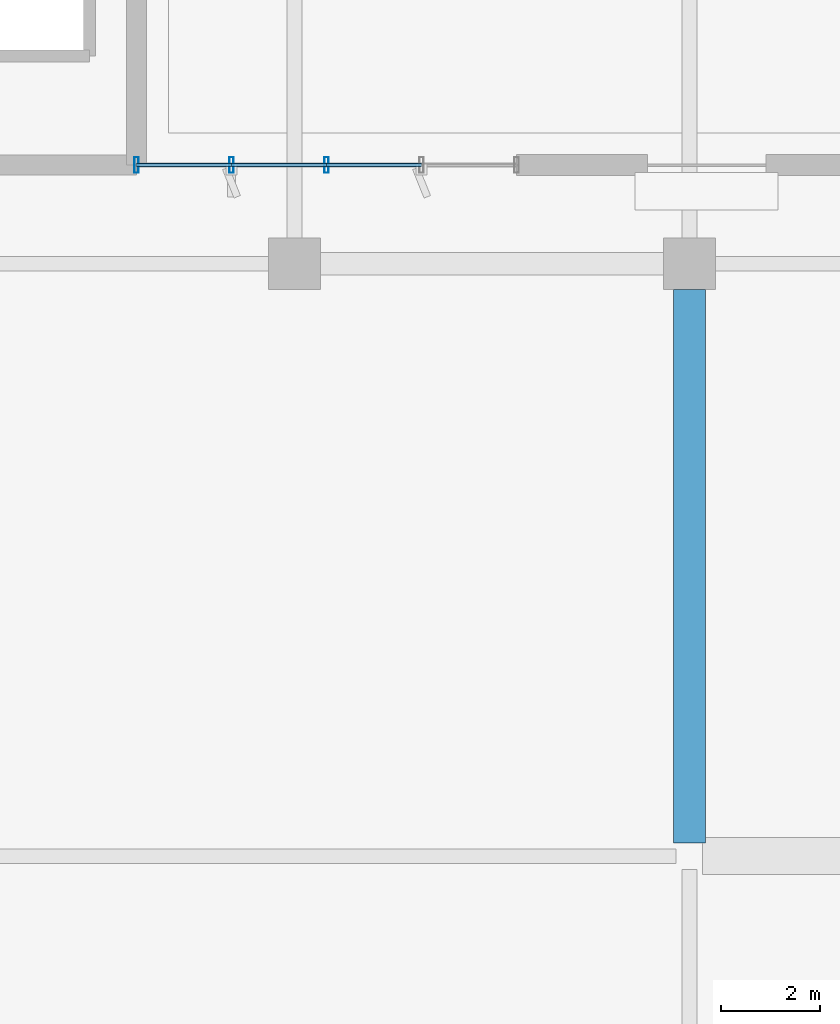
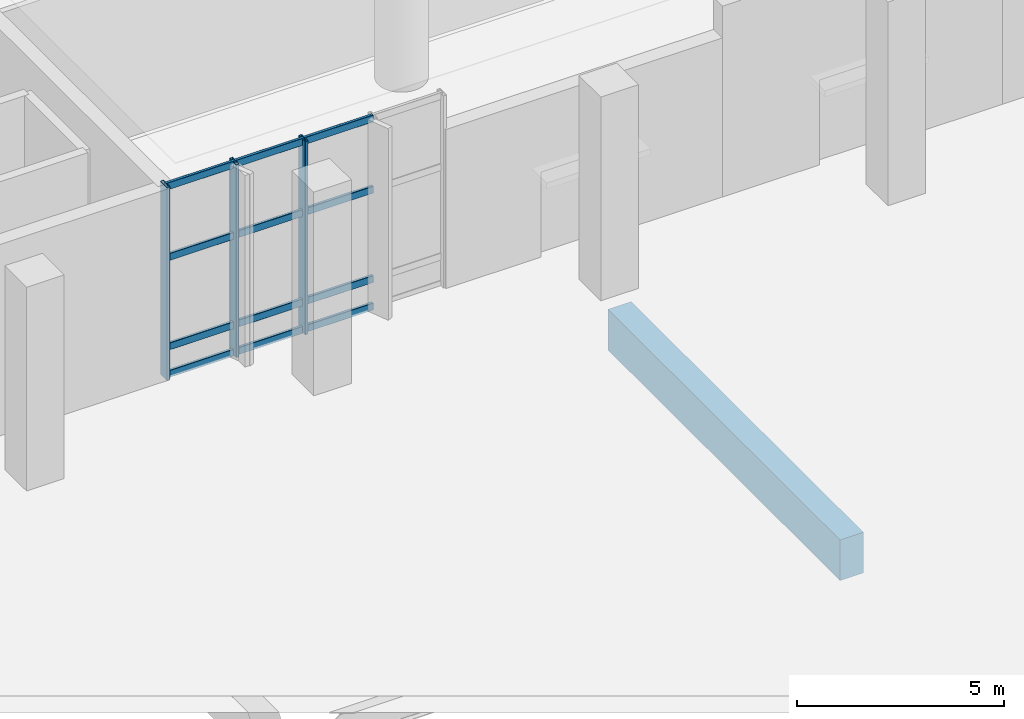
# One storey, part 36 of 163: 15 members, 1 beam, 1 element without a shape of its own.
"""IFC4 building model written with IfcOpenShell, lengths in metres."""

from ifc_helpers import new_model, si_unit, direction, frame, origin, origin_2d, place, context, subcontext, project, spatial, rectangle, hollow_rectangle, extrude, material, layer, layer_set, material_profile, profile_set, type_object, element, aggregate, save


model = new_model("IFC4")

# Units and contexts
model_context = context("Model", 3, precision=1e-05, world=origin(), true_north=direction((0.0, 1.0)))
body_context = subcontext(model_context, "Body", "Model", "MODEL_VIEW")
ifc_project = project(units=[si_unit("LENGTHUNIT", "METRE"), si_unit("AREAUNIT", "SQUARE_METRE"), si_unit("VOLUMEUNIT", "CUBIC_METRE"), si_unit("PLANEANGLEUNIT", "RADIAN"), si_unit("MASSUNIT", "GRAM", prefix="KILO")], contexts=[model_context])

# Site, building, storey
site_placement = place(None, origin())
site = spatial("IfcSite", under=ifc_project, at=site_placement, CompositionType="ELEMENT")
building_placement = place(site_placement, origin())
building = spatial("IfcBuilding", under=site, at=building_placement, Name="Khorjan Park Terminus", CompositionType="ELEMENT")
storey_placement = place(building_placement, origin())
storey = spatial("IfcBuildingStorey", under=building, at=storey_placement, Name="L00", CompositionType="ELEMENT", Elevation=0.0)

# Beam
ifc_material_1 = material(Name="Concrete C40/50", Category="concrete")
ifc_material_profile_1 = material_profile(ifc_material_1, rectangle(XDim=0.65, YDim=1.2, at=origin_2d()), Name="RC 650x1200")
ifc_profile_set_1 = profile_set([ifc_material_profile_1], Name="Concrete C40/50")
beam_type = type_object("IfcBeamType", Name="BM-RC650x1200", PredefinedType="BEAM", material=ifc_profile_set_1)
beam_placement = place(storey_placement, frame((80.0, 14.27, -0.92), z_axis=(0.0, 1.0, 0.0), x_axis=(-1.0, 0.0, 0.0)))
element("IfcBeam", 1, at=beam_placement, inside=storey, type_object=beam_type, Name="Primary floor girder GB-12 (L00)", PredefinedType="BEAM", context=body_context, shape_type="SweptSolid", body=[
    extrude(rectangle(XDim=0.65, YDim=1.2, at=origin_2d()), origin(), (0.0, 0.0, 1.0), 11.21),
])

# Curtain wall, members
ifc_material_2 = material(Name="Anodized Bronze Aluminium", Category="aluminium")
ifc_layer = layer(ifc_material_2, 0.22)
ifc_layer_set = layer_set([ifc_layer], Name="Anodized Bronze Aluminium")
curtain_wall_type = type_object("IfcCurtainWallType", Name="CW-CONC-A", PredefinedType="NOTDEFINED", material=ifc_layer_set)
curtain_wall_placement = place(storey_placement, origin())
curtain_wall = element("IfcCurtainWall", 2, at=curtain_wall_placement, inside=storey, type_object=curtain_wall_type, Name="Unitized curtain wall CW-A (CW-V2-S-L00-02)", PredefinedType="NOTDEFINED")
ifc_material_profile_2 = material_profile(ifc_material_2, hollow_rectangle(XDim=0.09, YDim=0.32, WallThickness=0.006, InnerFilletRadius=0.006, OuterFilletRadius=0.012, at=origin_2d()), Name="ALM 90x320x6")
ifc_profile_set_2 = profile_set([ifc_material_profile_2], Name="Anodized Bronze Aluminium")
member_type_1 = type_object("IfcMemberType", Name="ML-ALM-320", PredefinedType="MULLION", material=ifc_profile_set_2)
member_1_placement = place(storey_placement, frame((68.8, 28.0, -0.035), z_axis=(0.0, 0.0, 1.0), x_axis=(1.0, 0.0, 0.0)))
member_1 = element("IfcMember", 3, at=member_1_placement, type_object=member_type_1, Name="Curtain-wall mullion ML-32 (CW-V2-S-L00-02-0)", PredefinedType="MULLION", context=body_context, shape_type="SweptSolid", body=[
    extrude(hollow_rectangle(XDim=0.09, YDim=0.32, WallThickness=0.006, InnerFilletRadius=0.006, OuterFilletRadius=0.012, at=origin_2d()), origin(), (0.0, 0.0, 1.0), 5.69),
])
member_2_placement = place(storey_placement, frame((70.725, 28.0, -0.035), z_axis=(0.0, 0.0, 1.0), x_axis=(1.0, 0.0, 0.0)))
member_2 = element("IfcMember", 4, at=member_2_placement, type_object=member_type_1, Name="Curtain-wall mullion ML-32 (CW-V2-S-L00-02-1)", PredefinedType="MULLION", context=body_context, shape_type="SweptSolid", body=[
    extrude(hollow_rectangle(XDim=0.09, YDim=0.32, WallThickness=0.006, InnerFilletRadius=0.006, OuterFilletRadius=0.012, at=origin_2d()), origin(), (0.0, 0.0, 1.0), 5.69),
])
member_3_placement = place(storey_placement, frame((72.65, 28.0, -0.035), z_axis=(0.0, 0.0, 1.0), x_axis=(1.0, 0.0, 0.0)))
member_3 = element("IfcMember", 5, at=member_3_placement, type_object=member_type_1, Name="Curtain-wall mullion ML-32 (CW-V2-S-L00-02-2)", PredefinedType="MULLION", context=body_context, shape_type="SweptSolid", body=[
    extrude(hollow_rectangle(XDim=0.09, YDim=0.32, WallThickness=0.006, InnerFilletRadius=0.006, OuterFilletRadius=0.012, at=origin_2d()), origin(), (0.0, 0.0, 1.0), 5.69),
])
ifc_material_profile_3 = material_profile(ifc_material_2, hollow_rectangle(XDim=0.08, YDim=0.21, WallThickness=0.005, InnerFilletRadius=0.005, OuterFilletRadius=0.01, at=origin_2d()), Name="ALT 80x210x5")
ifc_profile_set_3 = profile_set([ifc_material_profile_3], Name="Anodized Bronze Aluminium")
member_type_2 = type_object("IfcMemberType", Name="TR-ALT-210", PredefinedType="USERDEFINED", material=ifc_profile_set_3)
member_4_placement = place(storey_placement, frame((68.8, 28.0, 0.04), z_axis=(1.0, 0.0, 0.0), x_axis=(0.0, 1.0, 0.0)))
member_4 = element("IfcMember", 6, at=member_4_placement, type_object=member_type_2, Name="Curtain-wall transom TR-21 (CW-V2-S-L00-02-0-1)", ObjectType="TRANSOM", PredefinedType="USERDEFINED", context=body_context, shape_type="SweptSolid", body=[
    extrude(hollow_rectangle(XDim=0.08, YDim=0.21, WallThickness=0.005, InnerFilletRadius=0.005, OuterFilletRadius=0.01, at=origin_2d()), origin(), (0.0, 0.0, 1.0), 1.925),
])
member_5_placement = place(storey_placement, frame((68.8, 28.0, 0.85), z_axis=(1.0, 0.0, 0.0), x_axis=(0.0, 1.0, 0.0)))
member_5 = element("IfcMember", 7, at=member_5_placement, type_object=member_type_2, Name="Curtain-wall transom TR-21 (CW-V2-S-L00-02-0-2)", ObjectType="TRANSOM", PredefinedType="USERDEFINED", context=body_context, shape_type="SweptSolid", body=[
    extrude(hollow_rectangle(XDim=0.08, YDim=0.21, WallThickness=0.005, InnerFilletRadius=0.005, OuterFilletRadius=0.01, at=origin_2d()), origin(), (0.0, 0.0, 1.0), 1.925),
])
member_6_placement = place(storey_placement, frame((68.8, 28.0, 3.4844), z_axis=(1.0, 0.0, 0.0), x_axis=(0.0, 1.0, 0.0)))
member_6 = element("IfcMember", 8, at=member_6_placement, type_object=member_type_2, Name="Curtain-wall transom TR-21 (CW-V2-S-L00-02-0-3)", ObjectType="TRANSOM", PredefinedType="USERDEFINED", context=body_context, shape_type="SweptSolid", body=[
    extrude(hollow_rectangle(XDim=0.08, YDim=0.21, WallThickness=0.005, InnerFilletRadius=0.005, OuterFilletRadius=0.01, at=origin_2d()), origin(), (0.0, 0.0, 1.0), 1.925),
])
member_7_placement = place(storey_placement, frame((68.8, 28.0, 5.58), z_axis=(1.0, 0.0, 0.0), x_axis=(0.0, 1.0, 0.0)))
member_7 = element("IfcMember", 9, at=member_7_placement, type_object=member_type_2, Name="Curtain-wall transom TR-21 (CW-V2-S-L00-02-0-4)", ObjectType="TRANSOM", PredefinedType="USERDEFINED", context=body_context, shape_type="SweptSolid", body=[
    extrude(hollow_rectangle(XDim=0.08, YDim=0.21, WallThickness=0.005, InnerFilletRadius=0.005, OuterFilletRadius=0.01, at=origin_2d()), origin(), (0.0, 0.0, 1.0), 1.925),
])
member_8_placement = place(storey_placement, frame((70.725, 28.0, 0.04), z_axis=(1.0, 0.0, 0.0), x_axis=(0.0, 1.0, 0.0)))
member_8 = element("IfcMember", 10, at=member_8_placement, type_object=member_type_2, Name="Curtain-wall transom TR-21 (CW-V2-S-L00-02-1-1)", ObjectType="TRANSOM", PredefinedType="USERDEFINED", context=body_context, shape_type="SweptSolid", body=[
    extrude(hollow_rectangle(XDim=0.08, YDim=0.21, WallThickness=0.005, InnerFilletRadius=0.005, OuterFilletRadius=0.01, at=origin_2d()), origin(), (0.0, 0.0, 1.0), 1.925),
])
member_9_placement = place(storey_placement, frame((70.725, 28.0, 0.85), z_axis=(1.0, 0.0, 0.0), x_axis=(0.0, 1.0, 0.0)))
member_9 = element("IfcMember", 11, at=member_9_placement, type_object=member_type_2, Name="Curtain-wall transom TR-21 (CW-V2-S-L00-02-1-2)", ObjectType="TRANSOM", PredefinedType="USERDEFINED", context=body_context, shape_type="SweptSolid", body=[
    extrude(hollow_rectangle(XDim=0.08, YDim=0.21, WallThickness=0.005, InnerFilletRadius=0.005, OuterFilletRadius=0.01, at=origin_2d()), origin(), (0.0, 0.0, 1.0), 1.925),
])
member_10_placement = place(storey_placement, frame((70.725, 28.0, 3.4844), z_axis=(1.0, 0.0, 0.0), x_axis=(0.0, 1.0, 0.0)))
member_10 = element("IfcMember", 12, at=member_10_placement, type_object=member_type_2, Name="Curtain-wall transom TR-21 (CW-V2-S-L00-02-1-3)", ObjectType="TRANSOM", PredefinedType="USERDEFINED", context=body_context, shape_type="SweptSolid", body=[
    extrude(hollow_rectangle(XDim=0.08, YDim=0.21, WallThickness=0.005, InnerFilletRadius=0.005, OuterFilletRadius=0.01, at=origin_2d()), origin(), (0.0, 0.0, 1.0), 1.925),
])
member_11_placement = place(storey_placement, frame((70.725, 28.0, 5.58), z_axis=(1.0, 0.0, 0.0), x_axis=(0.0, 1.0, 0.0)))
member_11 = element("IfcMember", 13, at=member_11_placement, type_object=member_type_2, Name="Curtain-wall transom TR-21 (CW-V2-S-L00-02-1-4)", ObjectType="TRANSOM", PredefinedType="USERDEFINED", context=body_context, shape_type="SweptSolid", body=[
    extrude(hollow_rectangle(XDim=0.08, YDim=0.21, WallThickness=0.005, InnerFilletRadius=0.005, OuterFilletRadius=0.01, at=origin_2d()), origin(), (0.0, 0.0, 1.0), 1.925),
])
member_12_placement = place(storey_placement, frame((72.65, 28.0, 0.04), z_axis=(1.0, 0.0, 0.0), x_axis=(0.0, 1.0, 0.0)))
member_12 = element("IfcMember", 14, at=member_12_placement, type_object=member_type_2, Name="Curtain-wall transom TR-21 (CW-V2-S-L00-02-2-1)", ObjectType="TRANSOM", PredefinedType="USERDEFINED", context=body_context, shape_type="SweptSolid", body=[
    extrude(hollow_rectangle(XDim=0.08, YDim=0.21, WallThickness=0.005, InnerFilletRadius=0.005, OuterFilletRadius=0.01, at=origin_2d()), origin(), (0.0, 0.0, 1.0), 1.925),
])
member_13_placement = place(storey_placement, frame((72.65, 28.0, 0.85), z_axis=(1.0, 0.0, 0.0), x_axis=(0.0, 1.0, 0.0)))
member_13 = element("IfcMember", 15, at=member_13_placement, type_object=member_type_2, Name="Curtain-wall transom TR-21 (CW-V2-S-L00-02-2-2)", ObjectType="TRANSOM", PredefinedType="USERDEFINED", context=body_context, shape_type="SweptSolid", body=[
    extrude(hollow_rectangle(XDim=0.08, YDim=0.21, WallThickness=0.005, InnerFilletRadius=0.005, OuterFilletRadius=0.01, at=origin_2d()), origin(), (0.0, 0.0, 1.0), 1.925),
])
member_14_placement = place(storey_placement, frame((72.65, 28.0, 3.4844), z_axis=(1.0, 0.0, 0.0), x_axis=(0.0, 1.0, 0.0)))
member_14 = element("IfcMember", 16, at=member_14_placement, type_object=member_type_2, Name="Curtain-wall transom TR-21 (CW-V2-S-L00-02-2-3)", ObjectType="TRANSOM", PredefinedType="USERDEFINED", context=body_context, shape_type="SweptSolid", body=[
    extrude(hollow_rectangle(XDim=0.08, YDim=0.21, WallThickness=0.005, InnerFilletRadius=0.005, OuterFilletRadius=0.01, at=origin_2d()), origin(), (0.0, 0.0, 1.0), 1.925),
])
member_15_placement = place(storey_placement, frame((72.65, 28.0, 5.58), z_axis=(1.0, 0.0, 0.0), x_axis=(0.0, 1.0, 0.0)))
member_15 = element("IfcMember", 17, at=member_15_placement, type_object=member_type_2, Name="Curtain-wall transom TR-21 (CW-V2-S-L00-02-2-4)", ObjectType="TRANSOM", PredefinedType="USERDEFINED", context=body_context, shape_type="SweptSolid", body=[
    extrude(hollow_rectangle(XDim=0.08, YDim=0.21, WallThickness=0.005, InnerFilletRadius=0.005, OuterFilletRadius=0.01, at=origin_2d()), origin(), (0.0, 0.0, 1.0), 1.925),
])
aggregate(curtain_wall, [member_1, member_2, member_3, member_4, member_5, member_6, member_7, member_8, member_9, member_10, member_11, member_12, member_13, member_14, member_15])

save(model, "model.ifc")
